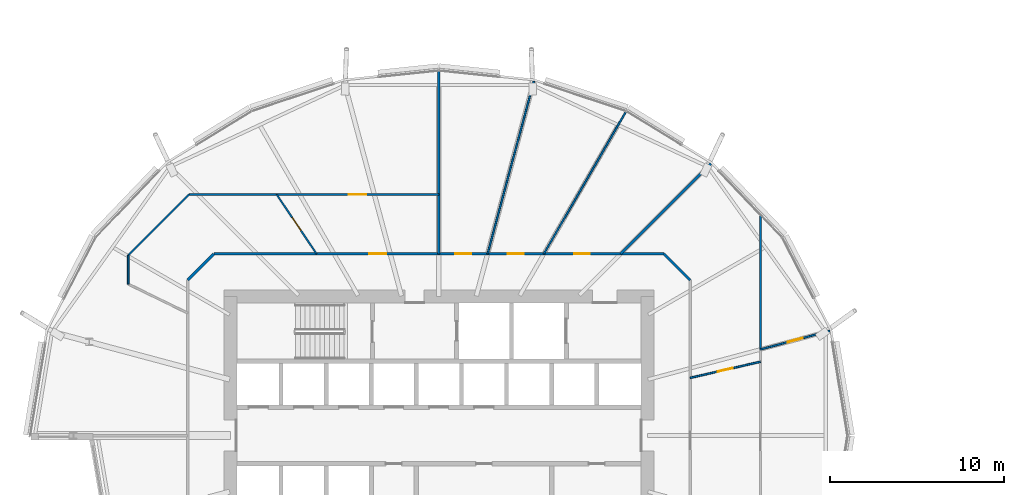
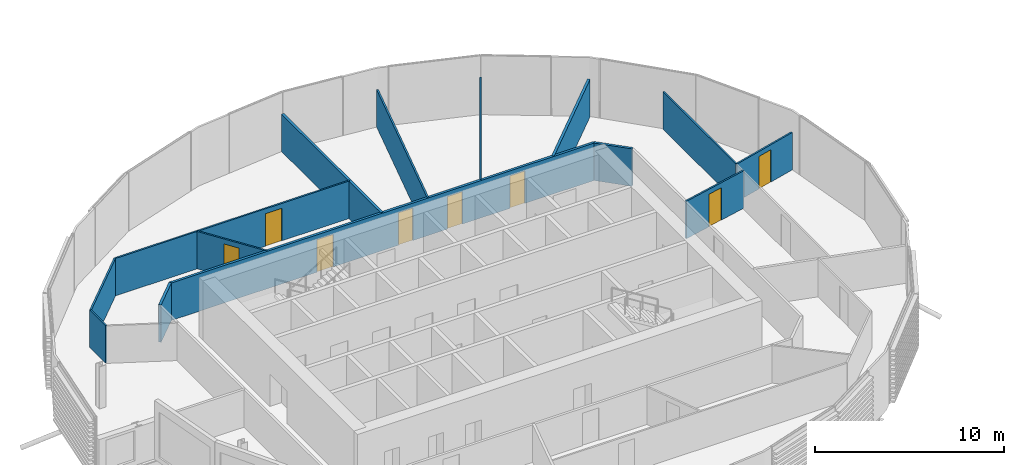
# One storey, part 22 of 39: 14 walls, 8 doors, 8 openings.
"""IFC4 building model written with IfcOpenShell, lengths in metres."""

import ifcopenshell
import ifcopenshell.guid

model = None  # the IFC model being written
_history = None  # IfcOwnerHistory: only IFC2X3 demands one
_inside = {}  # id of a spatial element -> (the spatial element, [elements in it])
_under = {}  # id of a project, library or spatial element -> (it, [spatial elements below it])
_declared = {}  # id of a project -> (the project, [libraries it declares])
_typed = {}  # id of a type object -> (the type object, [elements of that type])
_made_of = {}  # id of a material, layer set ... -> (it, [elements and type objects made of it])


def new_model(schema):
    """Start an empty IFC model of exactly this schema.

    Asked for "IFC4X3", IfcOpenShell would pick the latest addendum, in which some entities
    have other attributes; the version numbers below select the first issue.
    IFC2X3 requires an IfcOwnerHistory on every rooted entity: one is made here for all.
    """
    global model, _history
    if schema == "IFC4X3":
        model = ifcopenshell.file(schema_version=(4, 3, 0, 0))
    else:
        model = ifcopenshell.file(schema=schema)
    _inside.clear()
    _under.clear()
    _declared.clear()
    _typed.clear()
    _made_of.clear()
    _history = None
    if model.schema == "IFC2X3":
        org = make("IfcOrganization", Name="unknown")
        user = make(
            "IfcPersonAndOrganization",
            ThePerson=make("IfcPerson", FamilyName="unknown"),
            TheOrganization=org,
        )
        app = make(
            "IfcApplication",
            ApplicationDeveloper=org,
            Version="unknown",
            ApplicationFullName="unknown",
            ApplicationIdentifier="unknown",
        )
        _history = make(
            "IfcOwnerHistory",
            OwningUser=user,
            OwningApplication=app,
            ChangeAction="ADDED",
            CreationDate=0,
        )
    return model


def make(cls, **values):
    """One entity of the class cls with the attributes given. An attribute that is None is left unset."""
    return model.create_entity(
        cls, **{name: value for name, value in values.items() if value is not None}
    )


def rooted(cls, **values):
    """An entity with a GlobalId (a new one), such as an element, a storey or a relation."""
    return make(cls, GlobalId=ifcopenshell.guid.new(), OwnerHistory=_history, **values)


def si_unit(unit_type, name, prefix=None):
    """IfcSIUnit, for example si_unit("LENGTHUNIT", "METRE", prefix="MILLI")."""
    return make("IfcSIUnit", UnitType=unit_type, Prefix=prefix, Name=name)


def assignment(units):
    """IfcUnitAssignment: the units of a project."""
    return None if units is None else make("IfcUnitAssignment", Units=units)


def point(xyz):
    """IfcCartesianPoint."""
    return None if xyz is None else make("IfcCartesianPoint", Coordinates=xyz)


def direction(xyz):
    """IfcDirection."""
    return None if xyz is None else make("IfcDirection", DirectionRatios=xyz)


def frame(location, z_axis=None, x_axis=None):
    """IfcAxis2Placement3D, a coordinate frame: its origin and axes. An axis left out is left unset."""
    return make(
        "IfcAxis2Placement3D",
        Location=point(location),
        Axis=direction(z_axis),
        RefDirection=direction(x_axis),
    )


def frame_2d(location, x_axis=None):
    """IfcAxis2Placement2D, a coordinate frame in the plane: its origin and x axis."""
    return make(
        "IfcAxis2Placement2D", Location=point(location), RefDirection=direction(x_axis)
    )


def origin():
    """The frame at (0, 0, 0) with its axes left unset."""
    return frame((0.0, 0.0, 0.0))


def place(relative_to, where):
    """IfcLocalPlacement: puts the frame where relative to a parent placement (None: the world)."""
    return make(
        "IfcLocalPlacement", PlacementRelTo=relative_to, RelativePlacement=where
    )


def context(
    kind, dimensions, precision=None, world=None, true_north=None, identifier=None
):
    """IfcGeometricRepresentationContext, for example the 3D "Model" context."""
    return make(
        "IfcGeometricRepresentationContext",
        ContextIdentifier=identifier,
        ContextType=kind,
        CoordinateSpaceDimension=dimensions,
        Precision=precision,
        WorldCoordinateSystem=world,
        TrueNorth=true_north,
    )


def subcontext(parent, identifier, kind, view, scale=None):
    """IfcGeometricRepresentationSubContext, for example "Body" below "Model"."""
    return make(
        "IfcGeometricRepresentationSubContext",
        ContextIdentifier=identifier,
        ContextType=kind,
        ParentContext=parent,
        TargetScale=scale,
        TargetView=view,
    )


def project(units=None, contexts=None):
    """IfcProject with its units and contexts."""
    return rooted(
        "IfcProject",
        Name="project",
        RepresentationContexts=contexts,
        UnitsInContext=assignment(units),
    )


def spatial(cls, under=None, at=None, **own):
    """A site, building, storey or space (cls), placed at a placement, below another one or the project."""
    s = rooted(cls, ObjectPlacement=at, **own)
    if under is not None:
        _under.setdefault(under.id(), (under, []))[1].append(s)
    return s


def profile(cls, at=None, kind="AREA", **sizes):
    """A parametric profile (cls). Its sizes go by their IFC names, for example OverallWidth=200.0."""
    return make(cls, ProfileType=kind, Position=at, **sizes)


def rectangle(**sizes):
    """IfcRectangleProfileDef."""
    return profile("IfcRectangleProfileDef", **sizes)


def extrude(swept, where, along, depth):
    """IfcExtrudedAreaSolid: the profile swept, set in the frame where, extruded along a direction by depth."""
    return make(
        "IfcExtrudedAreaSolid",
        SweptArea=swept,
        Position=where,
        ExtrudedDirection=direction(along),
        Depth=depth,
    )


def shape(context_of_items, identifier, shape_type, items):
    """IfcShapeRepresentation: the items that make up one representation, for example the "Body"."""
    return make(
        "IfcShapeRepresentation",
        ContextOfItems=context_of_items,
        RepresentationIdentifier=identifier,
        RepresentationType=shape_type,
        Items=items,
    )


def material(Name=None, Category=None):
    """IfcMaterial."""
    return make("IfcMaterial", Name=Name, Category=Category)


def layer(
    of_material, thickness, ventilated=None, Name=None, Category=None, Priority=None
):
    """IfcMaterialLayer: one layer of a wall or slab, of a material (None: an air gap)."""
    return make(
        "IfcMaterialLayer",
        Material=of_material,
        LayerThickness=thickness,
        IsVentilated=ventilated,
        Name=Name,
        Category=Category,
        Priority=Priority,
    )


def layer_set(layers, Name=None):
    """IfcMaterialLayerSet."""
    return make("IfcMaterialLayerSet", MaterialLayers=layers, LayerSetName=Name)


def made_of(thing, what):
    """Note that an element or type object is made of a material, layer set ...; save() writes the relation."""
    if what is not None:
        _made_of.setdefault(what.id(), (what, []))[1].append(thing)
    return thing


def type_object(cls, material=None, **own):
    """A type object (cls), such as IfcWallType, which elements share."""
    return made_of(rooted(cls, **own), material)


def element(
    cls,
    number,
    at=None,
    inside=None,
    cuts=None,
    type_object=None,
    material=None,
    context=None,
    identifier="Body",
    shape_type=None,
    held_by="IfcProductDefinitionShape",
    body=None,
    shapes=None,
    **own,
):
    """One element of the class cls, such as IfcWall. Its Tag is "e" and its number.

    at: its placement. inside: the storey or other place that contains it. cuts: it is an
    opening in that element (IfcRelVoidsElement). A single representation is given by context,
    identifier, shape_type and body (its items); several are given by shapes. held_by: the class
    of the entity that holds the representations. save() writes the other relations.
    """
    e = rooted(cls, Tag="e%d" % number, ObjectPlacement=at, **own)
    if body is not None:
        shapes = [shape(context, identifier, shape_type, body)]
    if shapes is not None:
        e.Representation = make(held_by, Representations=shapes)
    if inside is not None:
        _inside.setdefault(inside.id(), (inside, []))[1].append(e)
    if cuts is not None:
        rooted(
            "IfcRelVoidsElement", RelatingBuildingElement=cuts, RelatedOpeningElement=e
        )
    if type_object is not None:
        _typed.setdefault(type_object.id(), (type_object, []))[1].append(e)
    return made_of(e, material)


def fill(opening, filler):
    """IfcRelFillsElement: the door or window that sits in an opening."""
    return rooted(
        "IfcRelFillsElement",
        RelatingOpeningElement=opening,
        RelatedBuildingElement=filler,
    )


def aggregate(whole, parts):
    """IfcRelAggregates: a whole, such as a stair, and the parts it consists of."""
    return rooted("IfcRelAggregates", RelatingObject=whole, RelatedObjects=parts)


def save(model, path):
    """Write the relations noted so far, then the file.

    IfcRelAggregates (storeys below a building ...), IfcRelContainedInSpatialStructure (elements
    in a storey), IfcRelDefinesByType, IfcRelAssociatesMaterial and IfcRelDeclares: one each for
    every whole, place, type object, material and project.
    """
    for whole, parts in _under.values():
        aggregate(whole, parts)
    for where, things in _inside.values():
        rooted(
            "IfcRelContainedInSpatialStructure",
            RelatedElements=things,
            RelatingStructure=where,
        )
    for kind, things in _typed.values():
        rooted("IfcRelDefinesByType", RelatedObjects=things, RelatingType=kind)
    for what, things in _made_of.values():
        rooted("IfcRelAssociatesMaterial", RelatedObjects=things, RelatingMaterial=what)
    for by, libraries in _declared.values():
        rooted("IfcRelDeclares", RelatingContext=by, RelatedDefinitions=libraries)
    model.write(path)


model = new_model("IFC4")

# Units and contexts
model_context = context("Model", 3, precision=1e-05, world=origin(), true_north=direction((0.0, 1.0)))
body_context = subcontext(model_context, "Body", "Model", "MODEL_VIEW")
ifc_project = project(units=[si_unit("LENGTHUNIT", "METRE"), si_unit("AREAUNIT", "SQUARE_METRE"), si_unit("VOLUMEUNIT", "CUBIC_METRE"), si_unit("PLANEANGLEUNIT", "RADIAN"), si_unit("MASSUNIT", "GRAM", prefix="KILO")], contexts=[model_context])

# Site, building, storey
site_placement = place(None, origin())
site = spatial("IfcSite", under=ifc_project, at=site_placement, CompositionType="ELEMENT")
building_placement = place(site_placement, origin())
building = spatial("IfcBuilding", under=site, at=building_placement, Name="Rimbun Link Towers", CompositionType="ELEMENT")
storey_placement = place(building_placement, frame((0.0, 0.0, 96.800048828125)))
storey = spatial("IfcBuildingStorey", under=building, at=storey_placement, Name="L23", CompositionType="ELEMENT", Elevation=96.800048828125)

# Wall, openings, doors
ifc_material_1 = material(Name="Plasterboard on steel stud, mineral wool", Category="steel")
ifc_layer_1 = layer(ifc_material_1, 0.14990234375)
ifc_layer_set_1 = layer_set([ifc_layer_1], Name="Corridor wall EI 30 150 mm")
wall_type_1 = type_object("IfcWallType", Name="Corridor wall EI 30 150 mm", PredefinedType="PARTITIONING", material=ifc_layer_set_1)
wall_1_placement = place(storey_placement, frame((-44.70166015625, 10.449951171875, 0.0), z_axis=(0.0, 0.0, 1.0), x_axis=(1.0, 0.0, 0.0)))
wall_1 = element("IfcWall", 1, at=wall_1_placement, inside=storey, type_object=wall_type_1, Name="Corridor wall EI 30 150 mm", PredefinedType="PARTITIONING", context=body_context, shape_type="SweptSolid", body=[
    extrude(rectangle(XDim=25.9033203125, YDim=0.14990234375, at=frame_2d((12.95166015625, 0.0))), origin(), (0.0, 0.0, 1.0), 2.419921875),
])
opening_1_placement = place(wall_1_placement, frame((20.743408203125, 0.0, 0.0)))
opening_1 = element("IfcOpeningElement", 2, at=opening_1_placement, cuts=wall_1, Name="Opening D02", PredefinedType="OPENING", context=body_context, shape_type="SweptSolid", body=[
    extrude(rectangle(XDim=0.89990234375, YDim=2.10009765625, at=frame_2d((0.449951171875, 1.050048828125))), frame((0.0, 0.0849609375, 0.0), z_axis=(0.0, -1.0, 0.0), x_axis=(1.0, 0.0, 0.0)), (0.0, 0.0, 1.0), 0.169921875),
])
opening_2_placement = place(wall_1_placement, frame((16.91845703125, 0.0, 0.0)))
opening_2 = element("IfcOpeningElement", 3, at=opening_2_placement, cuts=wall_1, Name="Opening D02", PredefinedType="OPENING", context=body_context, shape_type="SweptSolid", body=[
    extrude(rectangle(XDim=0.89990234375, YDim=2.10009765625, at=frame_2d((0.449951171875, 1.050048828125))), frame((0.0, 0.0849609375, 0.0), z_axis=(0.0, -1.0, 0.0), x_axis=(1.0, 0.0, 0.0)), (0.0, 0.0, 1.0), 0.169921875),
])
opening_3_placement = place(wall_1_placement, frame((13.901611328125, 0.0, 0.0)))
opening_3 = element("IfcOpeningElement", 4, at=opening_3_placement, cuts=wall_1, Name="Opening D02", PredefinedType="OPENING", context=body_context, shape_type="SweptSolid", body=[
    extrude(rectangle(XDim=0.89990234375, YDim=2.10009765625, at=frame_2d((0.449951171875, 1.050048828125))), frame((0.0, 0.0849609375, 0.0), z_axis=(0.0, -1.0, 0.0), x_axis=(1.0, 0.0, 0.0)), (0.0, 0.0, 1.0), 0.169921875),
])
opening_4_placement = place(wall_1_placement, frame((8.9345703125, 0.0, 0.0)))
opening_4 = element("IfcOpeningElement", 5, at=opening_4_placement, cuts=wall_1, Name="Opening D01", PredefinedType="OPENING", context=body_context, shape_type="SweptSolid", body=[
    extrude(rectangle(XDim=1.0, YDim=2.10009765625, at=frame_2d((0.5, 1.050048828125))), frame((0.0, 0.0849609375, 0.0), z_axis=(0.0, -1.0, 0.0), x_axis=(1.0, 0.0, 0.0)), (0.0, 0.0, 1.0), 0.169921875),
])
ifc_material_2 = material(Name="Fire-resisting timber door leaf", Category="wood")
door_type_1 = type_object("IfcDoorType", Name="Fire door FD30S 1000", OperationType="NOTDEFINED", PredefinedType="DOOR", material=ifc_material_2)
door_1_placement = place(opening_4_placement, origin())
door_1 = element("IfcDoor", 6, at=door_1_placement, inside=storey, type_object=door_type_1, Name="Fire door FD30S 1000 to Reception", OperationType="SINGLE_SWING_RIGHT", OverallHeight=2.10009765625, OverallWidth=1.0, PredefinedType="DOOR", context=body_context, shape_type="SweptSolid", body=[
    extrude(rectangle(XDim=1.0, YDim=2.10009765625, at=frame_2d((0.5, 1.050048828125))), frame((0.0, 0.02490234375, 0.0), z_axis=(0.0, -1.0, 0.0), x_axis=(1.0, 0.0, 0.0)), (0.0, 0.0, 1.0), 0.050048828125),
])
fill(opening_4, door_1)
ifc_material_3 = material(Name="Fire-resisting timber door leaf", Category="wood")
door_type_2 = type_object("IfcDoorType", Name="Fire door FD30S 900", OperationType="NOTDEFINED", PredefinedType="DOOR", material=ifc_material_3)
door_2_placement = place(opening_1_placement, origin())
door_2 = element("IfcDoor", 7, at=door_2_placement, inside=storey, type_object=door_type_2, Name="Fire door FD30S 900 to Cellular office", OperationType="SINGLE_SWING_LEFT", OverallHeight=2.10009765625, OverallWidth=0.89990234375, PredefinedType="DOOR", context=body_context, shape_type="SweptSolid", body=[
    extrude(rectangle(XDim=0.89990234375, YDim=2.10009765625, at=frame_2d((0.449951171875, 1.050048828125))), frame((0.0, 0.02490234375, 0.0), z_axis=(0.0, -1.0, 0.0), x_axis=(1.0, 0.0, 0.0)), (0.0, 0.0, 1.0), 0.050048828125),
])
fill(opening_1, door_2)
door_3_placement = place(opening_2_placement, origin())
door_3 = element("IfcDoor", 8, at=door_3_placement, inside=storey, type_object=door_type_2, Name="Fire door FD30S 900 to Cellular office", OperationType="SINGLE_SWING_RIGHT", OverallHeight=2.10009765625, OverallWidth=0.89990234375, PredefinedType="DOOR", context=body_context, shape_type="SweptSolid", body=[
    extrude(rectangle(XDim=0.89990234375, YDim=2.10009765625, at=frame_2d((0.449951171875, 1.050048828125))), frame((0.0, 0.02490234375, 0.0), z_axis=(0.0, -1.0, 0.0), x_axis=(1.0, 0.0, 0.0)), (0.0, 0.0, 1.0), 0.050048828125),
])
fill(opening_2, door_3)
door_4_placement = place(opening_3_placement, origin())
door_4 = element("IfcDoor", 9, at=door_4_placement, inside=storey, type_object=door_type_2, Name="Fire door FD30S 900 to Meeting room", OperationType="SINGLE_SWING_LEFT", OverallHeight=2.10009765625, OverallWidth=0.89990234375, PredefinedType="DOOR", context=body_context, shape_type="SweptSolid", body=[
    extrude(rectangle(XDim=0.89990234375, YDim=2.10009765625, at=frame_2d((0.449951171875, 1.050048828125))), frame((0.0, 0.02490234375, 0.0), z_axis=(0.0, -1.0, 0.0), x_axis=(1.0, 0.0, 0.0)), (0.0, 0.0, 1.0), 0.050048828125),
])
fill(opening_3, door_4)

# Walls
for number, where, z_axis, x_axis, name in (
    (10, (-17.300048828125, 8.95166015625, 0.0), (0.0, 0.0, 1.0), (-0.707106781187, 0.707106781187, 0.0), "Corridor wall EI 30 150 mm"),
    (11, (-44.70166015625, 10.449951171875, 0.0), (0.0, 0.0, 1.0), (-0.707106781187, -0.707106781187, 0.0), "Corridor wall EI 30 150 mm"),
):
    element("IfcWall", number, at=place(storey_placement, frame(where, z_axis=z_axis, x_axis=x_axis)), inside=storey, type_object=wall_type_1, Name=name, PredefinedType="PARTITIONING", context=body_context, shape_type="SweptSolid", body=[
        extrude(rectangle(XDim=2.118896484375, YDim=0.14990234375, at=frame_2d((1.0595703125, 0.0))), origin(), (0.0, 0.0, 1.0), 2.419921875),
    ])

# Wall, opening, door
ifc_material_4 = material(Name="Plasterboard on steel stud", Category="steel")
ifc_layer_2 = layer(ifc_material_4, 0.10009765625)
ifc_layer_set_2 = layer_set([ifc_layer_2], Name="Plasterboard partition 100 mm")
wall_type_2 = type_object("IfcWallType", Name="Plasterboard partition 100 mm", PredefinedType="PARTITIONING", material=ifc_layer_set_2)
wall_2_placement = place(storey_placement, frame((-17.300048828125, 3.3173828125, 0.0), z_axis=(0.0, 0.0, 1.0), x_axis=(0.974638156082, 0.22378664998, 0.0)))
wall_2 = element("IfcWall", 12, at=wall_2_placement, inside=storey, type_object=wall_type_2, Name="Plasterboard partition 100 mm", PredefinedType="PARTITIONING", context=body_context, shape_type="SweptSolid", body=[
    extrude(rectangle(XDim=4.155517578125, YDim=0.10009765625, at=frame_2d((2.07763671875, 0.0))), origin(), (0.0, 0.0, 1.0), 2.419921875),
])
opening_5_placement = place(wall_2_placement, frame((1.627685546875, 0.0, 0.0)))
opening_5 = element("IfcOpeningElement", 13, at=opening_5_placement, cuts=wall_2, Name="Opening D04", PredefinedType="OPENING", context=body_context, shape_type="SweptSolid", body=[
    extrude(rectangle(XDim=0.89990234375, YDim=2.10009765625, at=frame_2d((0.449951171875, 1.050048828125))), frame((0.0, 0.06005859375, 0.0), z_axis=(0.0, -1.0, 0.0), x_axis=(1.0, 0.0, 0.0)), (0.0, 0.0, 1.0), 0.1201171875),
])
ifc_material_5 = material(Name="Timber door leaf", Category="wood")
door_type_3 = type_object("IfcDoorType", Name="Flush door 900", OperationType="NOTDEFINED", PredefinedType="DOOR", material=ifc_material_5)
door_5_placement = place(opening_5_placement, origin())
door_5 = element("IfcDoor", 14, at=door_5_placement, inside=storey, type_object=door_type_3, Name="Flush door 900 to Pantry", OperationType="SINGLE_SWING_RIGHT", OverallHeight=2.10009765625, OverallWidth=0.89990234375, PredefinedType="DOOR", context=body_context, shape_type="SweptSolid", body=[
    extrude(rectangle(XDim=0.89990234375, YDim=2.10009765625, at=frame_2d((0.449951171875, 1.050048828125))), frame((0.0, 0.02490234375, 0.0), z_axis=(0.0, -1.0, 0.0), x_axis=(1.0, 0.0, 0.0)), (0.0, 0.0, 1.0), 0.050048828125),
])
fill(opening_5, door_5)

# Wall
wall_3_placement = place(storey_placement, frame((-13.25, 4.95703125, 0.0), z_axis=(0.0, 0.0, 1.0), x_axis=(0.0, 1.0, 0.0)))
element("IfcWall", 15, at=wall_3_placement, inside=storey, type_object=wall_type_2, Name="Plasterboard partition 100 mm", PredefinedType="PARTITIONING", context=body_context, shape_type="SweptSolid", body=[
    extrude(rectangle(XDim=7.71533203125, YDim=0.10009765625, at=frame_2d((3.857666015625, 0.0))), origin(), (0.0, 0.0, 1.0), 2.419921875),
])

# Wall, opening, door
wall_4_placement = place(storey_placement, frame((-13.25, 4.95703125, 0.0), z_axis=(0.0, 0.0, 1.0), x_axis=(0.965926224116, 0.258817560387, 0.0)))
wall_4 = element("IfcWall", 16, at=wall_4_placement, inside=storey, type_object=wall_type_2, Name="Plasterboard partition 100 mm", PredefinedType="PARTITIONING", context=body_context, shape_type="SweptSolid", body=[
    extrude(rectangle(XDim=4.143798828125, YDim=0.10009765625, at=frame_2d((2.07177734375, 0.0))), origin(), (0.0, 0.0, 1.0), 2.419921875),
])
opening_6_placement = place(wall_4_placement, frame((1.6220703125, 0.0, 0.0)))
opening_6 = element("IfcOpeningElement", 17, at=opening_6_placement, cuts=wall_4, Name="Opening D04", PredefinedType="OPENING", context=body_context, shape_type="SweptSolid", body=[
    extrude(rectangle(XDim=0.89990234375, YDim=2.10009765625, at=frame_2d((0.449951171875, 1.050048828125))), frame((0.0, 0.06005859375, 0.0), z_axis=(0.0, -1.0, 0.0), x_axis=(1.0, 0.0, 0.0)), (0.0, 0.0, 1.0), 0.1201171875),
])
door_6_placement = place(opening_6_placement, origin())
door_6 = element("IfcDoor", 18, at=door_6_placement, inside=storey, type_object=door_type_3, Name="Flush door 900 to Meeting room", OperationType="SINGLE_SWING_RIGHT", OverallHeight=2.10009765625, OverallWidth=0.89990234375, PredefinedType="DOOR", context=body_context, shape_type="SweptSolid", body=[
    extrude(rectangle(XDim=0.89990234375, YDim=2.10009765625, at=frame_2d((0.449951171875, 1.050048828125))), frame((0.0, 0.02490234375, 0.0), z_axis=(0.0, -1.0, 0.0), x_axis=(1.0, 0.0, 0.0)), (0.0, 0.0, 1.0), 0.050048828125),
])
fill(opening_6, door_6)

# Walls
wall_5_placement = place(storey_placement, frame((-20.985107421875, 18.6455078125, 0.0), z_axis=(0.0, 0.0, 1.0), x_axis=(-0.499998622628, -0.866026199009, 0.0)))
element("IfcWall", 19, at=wall_5_placement, inside=storey, type_object=wall_type_2, Name="Plasterboard partition 100 mm", PredefinedType="PARTITIONING", context=body_context, shape_type="SweptSolid", body=[
    extrude(rectangle(XDim=9.46337890625, YDim=0.10009765625, at=frame_2d((4.731689453125, 0.0))), origin(), (0.0, 0.0, 1.0), 2.419921875),
])
wall_6_placement = place(storey_placement, frame((-26.283447265625, 20.4013671875, 0.0), z_axis=(0.0, 0.0, 1.0), x_axis=(-0.258821763893, -0.965925097787, 0.0)))
element("IfcWall", 20, at=wall_6_placement, inside=storey, type_object=wall_type_2, Name="Plasterboard partition 100 mm", PredefinedType="PARTITIONING", context=body_context, shape_type="SweptSolid", body=[
    extrude(rectangle(XDim=10.302490234375, YDim=0.10009765625, at=frame_2d((5.1513671875, 0.0))), origin(), (0.0, 0.0, 1.0), 2.419921875),
])

# Wall, opening, door
wall_7_placement = place(storey_placement, frame((-38.784423828125, 10.449951171875, 0.0), z_axis=(0.0, 0.0, 1.0), x_axis=(-0.558411635741, 0.829564009024, 0.0)))
wall_7 = element("IfcWall", 21, at=wall_7_placement, inside=storey, type_object=wall_type_2, Name="Plasterboard partition 100 mm", PredefinedType="PARTITIONING", context=body_context, shape_type="SweptSolid", body=[
    extrude(rectangle(XDim=4.122802734375, YDim=0.10009765625, at=frame_2d((2.0615234375, 0.0))), origin(), (0.0, 0.0, 1.0), 2.419921875),
])
opening_7_placement = place(wall_7_placement, frame((1.611328125, 0.0, 0.0)))
opening_7 = element("IfcOpeningElement", 22, at=opening_7_placement, cuts=wall_7, Name="Opening D04", PredefinedType="OPENING", context=body_context, shape_type="SweptSolid", body=[
    extrude(rectangle(XDim=0.89990234375, YDim=2.10009765625, at=frame_2d((0.449951171875, 1.050048828125))), frame((0.0, 0.06005859375, 0.0), z_axis=(0.0, -1.0, 0.0), x_axis=(1.0, 0.0, 0.0)), (0.0, 0.0, 1.0), 0.1201171875),
])
door_7_placement = place(opening_7_placement, origin())
door_7 = element("IfcDoor", 23, at=door_7_placement, inside=storey, type_object=door_type_3, Name="Flush door 900 to Meeting room", OperationType="SINGLE_SWING_LEFT", OverallHeight=2.10009765625, OverallWidth=0.89990234375, PredefinedType="DOOR", context=body_context, shape_type="SweptSolid", body=[
    extrude(rectangle(XDim=0.89990234375, YDim=2.10009765625, at=frame_2d((0.449951171875, 1.050048828125))), frame((0.0, 0.02490234375, 0.0), z_axis=(0.0, -1.0, 0.0), x_axis=(1.0, 0.0, 0.0)), (0.0, 0.0, 1.0), 0.050048828125),
])
fill(opening_7, door_7)

wall_8_placement = place(storey_placement, frame((-46.118408203125, 13.8701171875, 0.0), z_axis=(0.0, 0.0, 1.0), x_axis=(1.0, 0.0, 0.0)))
wall_8 = element("IfcWall", 24, at=wall_8_placement, inside=storey, type_object=wall_type_2, Name="Plasterboard partition 100 mm", PredefinedType="PARTITIONING", context=body_context, shape_type="SweptSolid", body=[
    extrude(rectangle(XDim=14.368408203125, YDim=0.10009765625, at=frame_2d((7.18408203125, 0.0))), origin(), (0.0, 0.0, 1.0), 2.419921875),
])
opening_8_placement = place(wall_8_placement, frame((9.18505859375, 0.0, 0.0)))
opening_8 = element("IfcOpeningElement", 25, at=opening_8_placement, cuts=wall_8, Name="Opening D03", PredefinedType="OPENING", context=body_context, shape_type="SweptSolid", body=[
    extrude(rectangle(XDim=1.0, YDim=2.10009765625, at=frame_2d((0.5, 1.050048828125))), frame((0.0, 0.06005859375, 0.0), z_axis=(0.0, -1.0, 0.0), x_axis=(1.0, 0.0, 0.0)), (0.0, 0.0, 1.0), 0.1201171875),
])
ifc_material_6 = material(Name="Timber door leaf", Category="wood")
door_type_4 = type_object("IfcDoorType", Name="Flush door 1000", OperationType="NOTDEFINED", PredefinedType="DOOR", material=ifc_material_6)
door_8_placement = place(opening_8_placement, origin())
door_8 = element("IfcDoor", 26, at=door_8_placement, inside=storey, type_object=door_type_4, Name="Flush door 1000 to Open office", OperationType="SINGLE_SWING_RIGHT", OverallHeight=2.10009765625, OverallWidth=1.0, PredefinedType="DOOR", context=body_context, shape_type="SweptSolid", body=[
    extrude(rectangle(XDim=1.0, YDim=2.10009765625, at=frame_2d((0.5, 1.050048828125))), frame((0.0, 0.02490234375, 0.0), z_axis=(0.0, -1.0, 0.0), x_axis=(1.0, 0.0, 0.0)), (0.0, 0.0, 1.0), 0.050048828125),
])
fill(opening_8, door_8)

# Walls
wall_9_placement = place(storey_placement, frame((-46.118408203125, 13.8701171875, 0.0), z_axis=(0.0, 0.0, 1.0), x_axis=(-0.707106781187, -0.707106781187, 0.0)))
element("IfcWall", 27, at=wall_9_placement, inside=storey, type_object=wall_type_2, Name="Plasterboard partition 100 mm", PredefinedType="PARTITIONING", context=body_context, shape_type="SweptSolid", body=[
    extrude(rectangle(XDim=4.9521484375, YDim=0.10009765625, at=frame_2d((2.47607421875, 0.0))), origin(), (0.0, 0.0, 1.0), 2.419921875),
])
wall_10_placement = place(storey_placement, frame((-49.6201171875, 10.368408203125, 0.0), z_axis=(0.0, 0.0, 1.0), x_axis=(0.0, -1.0, 0.0)))
element("IfcWall", 28, at=wall_10_placement, inside=storey, type_object=wall_type_2, Name="Plasterboard partition 100 mm", PredefinedType="PARTITIONING", context=body_context, shape_type="SweptSolid", body=[
    extrude(rectangle(XDim=1.65576171875, YDim=0.10009765625, at=frame_2d((0.827880859375, 0.0))), origin(), (0.0, 0.0, 1.0), 2.419921875),
])
ifc_material_7 = material(Name="Plasterboard on steel stud, mineral wool", Category="steel")
ifc_layer_3 = layer(ifc_material_7, 0.14990234375)
ifc_layer_set_3 = layer_set([ifc_layer_3], Name="Tenancy separation wall EI 60 150 mm")
wall_type_3 = type_object("IfcWallType", Name="Tenancy separation wall EI 60 150 mm", PredefinedType="PARTITIONING", material=ifc_layer_set_3)
wall_11_placement = place(storey_placement, frame((-21.300048828125, 10.449951171875, 0.0), z_axis=(0.0, 0.0, 1.0), x_axis=(0.707106781187, 0.707106781187, 0.0)))
element("IfcWall", 29, at=wall_11_placement, inside=storey, type_object=wall_type_3, Name="Tenancy separation wall EI 60 150 mm", PredefinedType="PARTITIONING", context=body_context, shape_type="SweptSolid", body=[
    extrude(rectangle(XDim=7.350830078125, YDim=0.14990234375, at=frame_2d((3.67529296875, 0.0))), origin(), (0.0, 0.0, 1.0), 2.419921875),
])
wall_12_placement = place(storey_placement, frame((-31.75, 10.449951171875, 0.0), z_axis=(0.0, 0.0, 1.0), x_axis=(0.0, 1.0, 0.0)))
element("IfcWall", 30, at=wall_12_placement, inside=storey, type_object=wall_type_3, Name="Tenancy separation wall EI 60 150 mm", PredefinedType="PARTITIONING", context=body_context, shape_type="SweptSolid", body=[
    extrude(rectangle(XDim=10.527099609375, YDim=0.14990234375, at=frame_2d((5.263671875, 0.0))), origin(), (0.0, 0.0, 1.0), 2.419921875),
])

save(model, "model.ifc")
